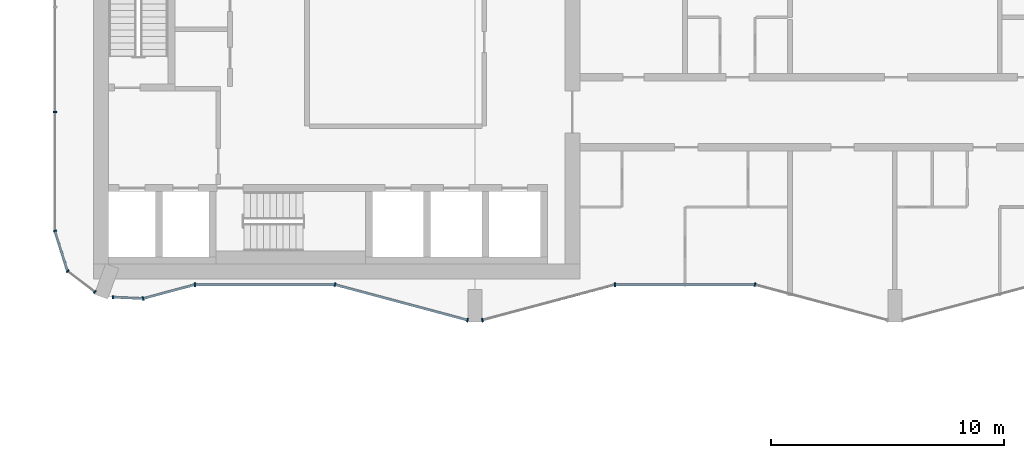
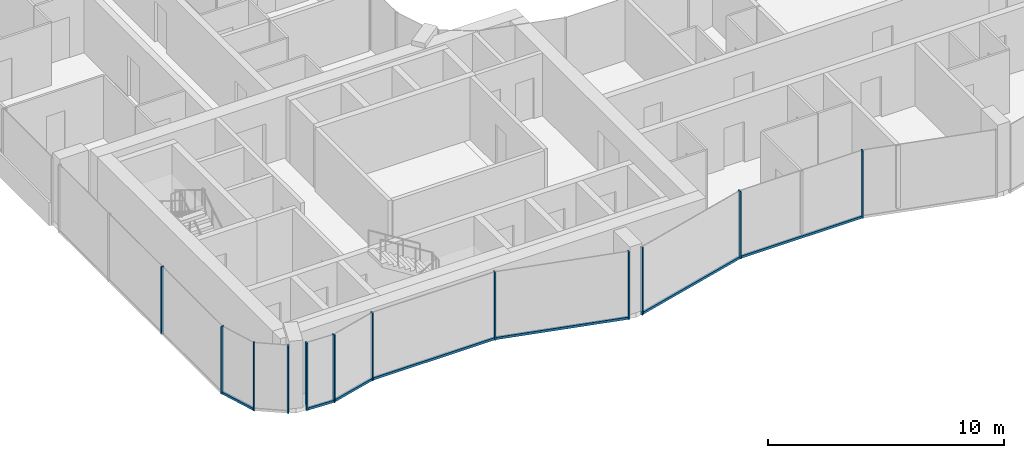
# One storey, part 2 of 22: 19 members, 10 elements without a shape of their own.
"""IFC4 building model written with IfcOpenShell, lengths in metres."""

from ifc_helpers import new_model, si_unit, direction, frame, origin, origin_2d, place, context, subcontext, project, spatial, rectangle, extrude, material, layer, layer_set, material_profile, profile_set, type_object, element, aggregate, save


model = new_model("IFC4")

# Units and contexts
model_context = context("Model", 3, precision=1e-05, world=origin(), true_north=direction((0.0, 1.0)))
body_context = subcontext(model_context, "Body", "Model", "MODEL_VIEW")
ifc_project = project(units=[si_unit("LENGTHUNIT", "METRE"), si_unit("AREAUNIT", "SQUARE_METRE"), si_unit("VOLUMEUNIT", "CUBIC_METRE"), si_unit("PLANEANGLEUNIT", "RADIAN"), si_unit("MASSUNIT", "GRAM", prefix="KILO")], contexts=[model_context])

# Site, building, storey
site_placement = place(None, origin())
site = spatial("IfcSite", under=ifc_project, at=site_placement, CompositionType="ELEMENT")
building_placement = place(site_placement, origin())
building = spatial("IfcBuilding", under=site, at=building_placement, Name="Plateau Cross Towers", CompositionType="ELEMENT")
storey_placement = place(building_placement, frame((0.0, 0.0, 109.800048828125)))
storey = spatial("IfcBuildingStorey", under=building, at=storey_placement, Name="L28", CompositionType="ELEMENT", Elevation=109.800048828125)

# Curtain wall, member
ifc_material_1 = material(Name="Dark low-iron glass", Category="glass")
ifc_layer_1 = layer(ifc_material_1, 0.239990234375)
ifc_layer_set_1 = layer_set([ifc_layer_1], Name="Dark low-iron glass")
curtain_wall_type_1 = type_object("IfcCurtainWallType", Name="Curtain wall flush unitised CW-B", PredefinedType="NOTDEFINED", material=ifc_layer_set_1)
curtain_wall_1_placement = place(storey_placement, origin())
curtain_wall_1 = element("IfcCurtainWall", 1, at=curtain_wall_1_placement, inside=storey, type_object=curtain_wall_type_1, Name="ENV/A/L28/A0_177", PredefinedType="NOTDEFINED")
ifc_material_2 = material(Name="Black anodised aluminium", Category="aluminium")
ifc_material_profile_1 = material_profile(ifc_material_2, rectangle(XDim=0.06005859375, YDim=0.139892578125, at=origin_2d()), Name="MULLION 60x140")
ifc_profile_set_1 = profile_set([ifc_material_profile_1], Name="Black anodised aluminium")
member_type_1 = type_object("IfcMemberType", Name="Mullion 60x140 flush unitised", PredefinedType="MULLION", material=ifc_profile_set_1)
member_1_placement = place(storey_placement, frame((0.0, 9.0, -0.25), z_axis=(0.0, 0.0, 1.0), x_axis=(0.0, -1.0, 0.0)))
member_1 = element("IfcMember", 2, at=member_1_placement, type_object=member_type_1, Name="CW-B mullion 3", PredefinedType="MULLION", context=body_context, shape_type="SweptSolid", body=[
    extrude(rectangle(XDim=0.06005859375, YDim=0.139892578125, at=origin_2d()), origin(), (0.0, 0.0, 1.0), 3.5),
])
aggregate(curtain_wall_1, [member_1])

curtain_wall_2_placement = place(storey_placement, origin())
curtain_wall_2 = element("IfcCurtainWall", 3, at=curtain_wall_2_placement, inside=storey, type_object=curtain_wall_type_1, Name="ENV/A/L28/A0_39", PredefinedType="NOTDEFINED")
member_2_placement = place(storey_placement, frame((0.0, 3.9091796875, -0.25), z_axis=(0.0, 0.0, 1.0), x_axis=(0.300686174994, -0.95372313811, 0.0)))
member_2 = element("IfcMember", 4, at=member_2_placement, type_object=member_type_1, Name="CW-B mullion 1", PredefinedType="MULLION", context=body_context, shape_type="SweptSolid", body=[
    extrude(rectangle(XDim=0.06005859375, YDim=0.139892578125, at=origin_2d()), origin(), (0.0, 0.0, 1.0), 3.5),
])

# Curtain wall, members
curtain_wall_3_placement = place(storey_placement, origin())
curtain_wall_3 = element("IfcCurtainWall", 5, at=curtain_wall_3_placement, inside=storey, type_object=curtain_wall_type_1, Name="ENV/A/L28/A5_22", PredefinedType="NOTDEFINED")
member_3_placement = place(storey_placement, frame((0.54248046875, 2.1884765625, -0.25), z_axis=(0.0, 0.0, 1.0), x_axis=(0.793315514529, -0.608810721331, 0.0)))
member_3 = element("IfcMember", 6, at=member_3_placement, type_object=member_type_1, Name="CW-B mullion 1", PredefinedType="MULLION", context=body_context, shape_type="SweptSolid", body=[
    extrude(rectangle(XDim=0.06005859375, YDim=0.139892578125, at=origin_2d()), origin(), (0.0, 0.0, 1.0), 3.5),
])
member_4_placement = place(storey_placement, frame((1.709716796875, 1.292724609375, -0.25), z_axis=(0.0, 0.0, 1.0), x_axis=(0.793315514529, -0.608810721331, 0.0)))
member_4 = element("IfcMember", 7, at=member_4_placement, type_object=member_type_1, Name="CW-B mullion 2", PredefinedType="MULLION", context=body_context, shape_type="SweptSolid", body=[
    extrude(rectangle(XDim=0.06005859375, YDim=0.139892578125, at=origin_2d()), origin(), (0.0, 0.0, 1.0), 3.5),
])
aggregate(curtain_wall_3, [member_3, member_4])

# Curtain wall, member
curtain_wall_4_placement = place(storey_placement, origin())
curtain_wall_4 = element("IfcCurtainWall", 8, at=curtain_wall_4_placement, inside=storey, type_object=curtain_wall_type_1, Name="ENV/A/L28/A25_11", PredefinedType="NOTDEFINED")
member_5_placement = place(storey_placement, frame((2.483642578125, 1.06787109375, -0.25), z_axis=(0.0, 0.0, 1.0), x_axis=(0.999043701491, -0.043722791671, 0.0)))
member_5 = element("IfcMember", 9, at=member_5_placement, type_object=member_type_1, Name="CW-B mullion 1", PredefinedType="MULLION", context=body_context, shape_type="SweptSolid", body=[
    extrude(rectangle(XDim=0.06005859375, YDim=0.139892578125, at=origin_2d()), origin(), (0.0, 0.0, 1.0), 3.5),
])

ifc_layer_2 = layer(ifc_material_1, 0.260009765625)
ifc_layer_set_2 = layer_set([ifc_layer_2], Name="Dark low-iron glass")
curtain_wall_type_2 = type_object("IfcCurtainWallType", Name="Curtain wall fluted unitised CW-A", PredefinedType="NOTDEFINED", material=ifc_layer_set_2)
curtain_wall_5_placement = place(storey_placement, origin())
curtain_wall_5 = element("IfcCurtainWall", 10, at=curtain_wall_5_placement, inside=storey, type_object=curtain_wall_type_2, Name="ENV/A/L28/A38_10", PredefinedType="NOTDEFINED")
ifc_material_profile_2 = material_profile(ifc_material_2, rectangle(XDim=0.06005859375, YDim=0.159912109375, at=origin_2d()), Name="MULLION 60x160")
ifc_profile_set_2 = profile_set([ifc_material_profile_2], Name="Black anodised aluminium")
member_type_2 = type_object("IfcMemberType", Name="Mullion 60x160 fluted unitised", PredefinedType="MULLION", material=ifc_profile_set_2)
member_6_placement = place(storey_placement, frame((3.776123046875, 1.01123046875, -0.25), z_axis=(0.0, 0.0, 1.0), x_axis=(0.965957962328, 0.258699081978, 0.0)))
member_6 = element("IfcMember", 11, at=member_6_placement, type_object=member_type_2, Name="CW-A mullion 1", PredefinedType="MULLION", context=body_context, shape_type="SweptSolid", body=[
    extrude(rectangle(XDim=0.06005859375, YDim=0.159912109375, at=origin_2d()), origin(), (0.0, 0.0, 1.0), 3.5),
])

curtain_wall_6_placement = place(storey_placement, origin())
curtain_wall_6 = element("IfcCurtainWall", 12, at=curtain_wall_6_placement, inside=storey, type_object=curtain_wall_type_2, Name="ENV/A/L28/A60_16", PredefinedType="NOTDEFINED")
member_7_placement = place(storey_placement, frame((6.0, 1.60693359375, -0.25), z_axis=(0.0, 0.0, 1.0), x_axis=(1.0, 0.0, 0.0)))
member_7 = element("IfcMember", 13, at=member_7_placement, type_object=member_type_2, Name="CW-A mullion 1", PredefinedType="MULLION", context=body_context, shape_type="SweptSolid", body=[
    extrude(rectangle(XDim=0.06005859375, YDim=0.159912109375, at=origin_2d()), origin(), (0.0, 0.0, 1.0), 3.5),
])

# Curtain wall, members
curtain_wall_7_placement = place(storey_placement, origin())
curtain_wall_7 = element("IfcCurtainWall", 14, at=curtain_wall_7_placement, inside=storey, type_object=curtain_wall_type_2, Name="ENV/A/L28/A120_16", PredefinedType="NOTDEFINED")
member_8_placement = place(storey_placement, frame((12.0, 1.60693359375, -0.25), z_axis=(0.0, 0.0, 1.0), x_axis=(0.965957983404, -0.258699003279, 0.0)))
member_8 = element("IfcMember", 15, at=member_8_placement, type_object=member_type_2, Name="CW-A mullion 1", PredefinedType="MULLION", context=body_context, shape_type="SweptSolid", body=[
    extrude(rectangle(XDim=0.06005859375, YDim=0.159912109375, at=origin_2d()), origin(), (0.0, 0.0, 1.0), 3.5),
])
member_9_placement = place(storey_placement, frame((17.68212890625, 0.085205078125, -0.25), z_axis=(0.0, 0.0, 1.0), x_axis=(0.965957983404, -0.258699003279, 0.0)))
member_9 = element("IfcMember", 16, at=member_9_placement, type_object=member_type_2, Name="CW-A mullion 2", PredefinedType="MULLION", context=body_context, shape_type="SweptSolid", body=[
    extrude(rectangle(XDim=0.06005859375, YDim=0.159912109375, at=origin_2d()), origin(), (0.0, 0.0, 1.0), 3.5),
])

# Curtain wall, member
curtain_wall_8_placement = place(storey_placement, origin())
curtain_wall_8 = element("IfcCurtainWall", 17, at=curtain_wall_8_placement, inside=storey, type_object=curtain_wall_type_2, Name="ENV/A/L28/A183_1", PredefinedType="NOTDEFINED")
member_10_placement = place(storey_placement, frame((18.31787109375, 0.085205078125, -0.25), z_axis=(0.0, 0.0, 1.0), x_axis=(0.965957983404, 0.258699003279, 0.0)))
member_10 = element("IfcMember", 18, at=member_10_placement, type_object=member_type_2, Name="CW-A mullion 1", PredefinedType="MULLION", context=body_context, shape_type="SweptSolid", body=[
    extrude(rectangle(XDim=0.06005859375, YDim=0.159912109375, at=origin_2d()), origin(), (0.0, 0.0, 1.0), 3.5),
])

curtain_wall_9_placement = place(storey_placement, origin())
curtain_wall_9 = element("IfcCurtainWall", 19, at=curtain_wall_9_placement, inside=storey, type_object=curtain_wall_type_2, Name="ENV/A/L28/A240_16", PredefinedType="NOTDEFINED")
member_11_placement = place(storey_placement, frame((24.0, 1.60693359375, -0.25), z_axis=(0.0, 0.0, 1.0), x_axis=(1.0, 0.0, 0.0)))
member_11 = element("IfcMember", 20, at=member_11_placement, type_object=member_type_2, Name="CW-A mullion 1", PredefinedType="MULLION", context=body_context, shape_type="SweptSolid", body=[
    extrude(rectangle(XDim=0.06005859375, YDim=0.159912109375, at=origin_2d()), origin(), (0.0, 0.0, 1.0), 3.5),
])

curtain_wall_10_placement = place(storey_placement, origin())
curtain_wall_10 = element("IfcCurtainWall", 21, at=curtain_wall_10_placement, inside=storey, type_object=curtain_wall_type_2, Name="ENV/A/L28/A300_16", PredefinedType="NOTDEFINED")
member_12_placement = place(storey_placement, frame((30.0, 1.60693359375, -0.25), z_axis=(0.0, 0.0, 1.0), x_axis=(0.965957983404, -0.258699003279, 0.0)))
member_12 = element("IfcMember", 22, at=member_12_placement, type_object=member_type_2, Name="CW-A mullion 1", PredefinedType="MULLION", context=body_context, shape_type="SweptSolid", body=[
    extrude(rectangle(XDim=0.06005859375, YDim=0.159912109375, at=origin_2d()), origin(), (0.0, 0.0, 1.0), 3.5),
])
aggregate(curtain_wall_10, [member_12])

# Member
ifc_material_profile_3 = material_profile(ifc_material_2, rectangle(XDim=0.10009765625, YDim=0.1201171875, at=origin_2d()), Name="TRANSOM 100x120")
ifc_profile_set_3 = profile_set([ifc_material_profile_3], Name="Black anodised aluminium")
member_type_3 = type_object("IfcMemberType", Name="Transom 100x120 flush unitised", PredefinedType="USERDEFINED", material=ifc_profile_set_3)
member_13_placement = place(storey_placement, frame((0.0, 3.9091796875, -0.18994140625), z_axis=(0.30067799945, -0.953725715626, 0.0), x_axis=(0.953725715626, 0.30067799945, 0.0)))
member_13 = element("IfcMember", 23, at=member_13_placement, type_object=member_type_3, Name="CW-B transom", ObjectType="TRANSOM", PredefinedType="USERDEFINED", context=body_context, shape_type="SweptSolid", body=[
    extrude(rectangle(XDim=0.10009765625, YDim=0.1201171875, at=origin_2d()), origin(), (0.0, 0.0, 1.0), 1.80419921875),
])

aggregate(curtain_wall_2, [member_2, member_13])

member_14_placement = place(storey_placement, frame((2.483642578125, 1.06787109375, -0.18994140625), z_axis=(0.999041144614, -0.043781175963, 0.0), x_axis=(0.043781175963, 0.999041144614, 0.0)))
member_14 = element("IfcMember", 24, at=member_14_placement, type_object=member_type_3, Name="CW-B transom", ObjectType="TRANSOM", PredefinedType="USERDEFINED", context=body_context, shape_type="SweptSolid", body=[
    extrude(rectangle(XDim=0.10009765625, YDim=0.1201171875, at=origin_2d()), origin(), (0.0, 0.0, 1.0), 1.293701171875),
])

aggregate(curtain_wall_4, [member_5, member_14])

ifc_material_profile_4 = material_profile(ifc_material_2, rectangle(XDim=0.10009765625, YDim=0.1201171875, at=origin_2d()), Name="TRANSOM 100x120")
ifc_profile_set_4 = profile_set([ifc_material_profile_4], Name="Black anodised aluminium")
member_type_4 = type_object("IfcMemberType", Name="Transom 100x120 fluted unitised", PredefinedType="USERDEFINED", material=ifc_profile_set_4)
member_15_placement = place(storey_placement, frame((3.776123046875, 1.01123046875, -0.18994140625), z_axis=(0.965945685136, 0.258744919501, 0.0), x_axis=(-0.258744919501, 0.965945685136, 0.0)))
member_15 = element("IfcMember", 25, at=member_15_placement, type_object=member_type_4, Name="CW-A transom", ObjectType="TRANSOM", PredefinedType="USERDEFINED", context=body_context, shape_type="SweptSolid", body=[
    extrude(rectangle(XDim=0.10009765625, YDim=0.1201171875, at=origin_2d()), origin(), (0.0, 0.0, 1.0), 2.30224609375),
])

aggregate(curtain_wall_5, [member_6, member_15])

member_16_placement = place(storey_placement, frame((6.0, 1.60693359375, -0.18994140625), z_axis=(1.0, 0.0, 0.0), x_axis=(0.0, 1.0, 0.0)))
member_16 = element("IfcMember", 26, at=member_16_placement, type_object=member_type_4, Name="CW-A transom", ObjectType="TRANSOM", PredefinedType="USERDEFINED", context=body_context, shape_type="SweptSolid", body=[
    extrude(rectangle(XDim=0.10009765625, YDim=0.1201171875, at=origin_2d()), origin(), (0.0, 0.0, 1.0), 6.0),
])

aggregate(curtain_wall_6, [member_7, member_16])

member_17_placement = place(storey_placement, frame((12.0, 1.60693359375, -0.18994140625), z_axis=(0.965959534794, -0.258693210465, 0.0), x_axis=(0.258693210465, 0.965959534794, 0.0)))
member_17 = element("IfcMember", 27, at=member_17_placement, type_object=member_type_4, Name="CW-A transom", ObjectType="TRANSOM", PredefinedType="USERDEFINED", context=body_context, shape_type="SweptSolid", body=[
    extrude(rectangle(XDim=0.10009765625, YDim=0.1201171875, at=origin_2d()), origin(), (0.0, 0.0, 1.0), 5.88232421875),
])

aggregate(curtain_wall_7, [member_8, member_9, member_17])

member_18_placement = place(storey_placement, frame((18.31787109375, 0.085205078125, -0.18994140625), z_axis=(0.965959534794, 0.258693210465, 0.0), x_axis=(-0.258693210465, 0.965959534794, 0.0)))
member_18 = element("IfcMember", 28, at=member_18_placement, type_object=member_type_4, Name="CW-A transom", ObjectType="TRANSOM", PredefinedType="USERDEFINED", context=body_context, shape_type="SweptSolid", body=[
    extrude(rectangle(XDim=0.10009765625, YDim=0.1201171875, at=origin_2d()), origin(), (0.0, 0.0, 1.0), 5.88232421875),
])

aggregate(curtain_wall_8, [member_10, member_18])

member_19_placement = place(storey_placement, frame((24.0, 1.60693359375, -0.18994140625), z_axis=(1.0, 0.0, 0.0), x_axis=(0.0, 1.0, 0.0)))
member_19 = element("IfcMember", 29, at=member_19_placement, type_object=member_type_4, Name="CW-A transom", ObjectType="TRANSOM", PredefinedType="USERDEFINED", context=body_context, shape_type="SweptSolid", body=[
    extrude(rectangle(XDim=0.10009765625, YDim=0.1201171875, at=origin_2d()), origin(), (0.0, 0.0, 1.0), 6.0),
])

aggregate(curtain_wall_9, [member_11, member_19])

save(model, "model.ifc")
